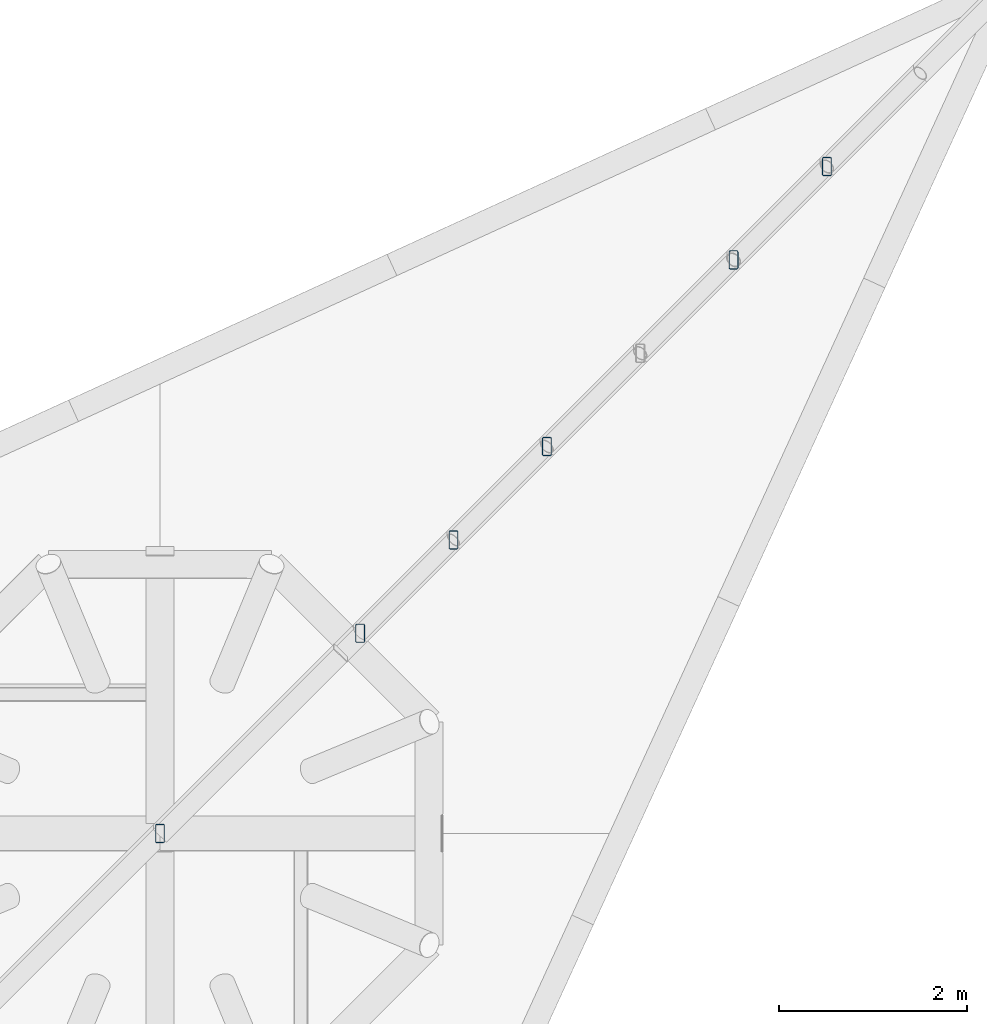
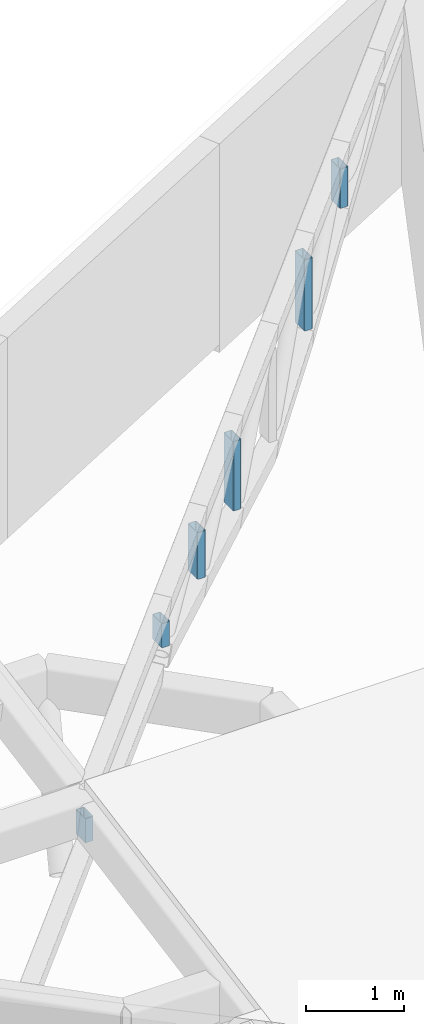
# One storey, part 12 of 32: 6 members.
"""IFC4 building model written with IfcOpenShell, lengths in metres."""

from ifc_helpers import new_model, si_unit, direction, frame, origin, origin_2d, place, context, subcontext, project, spatial, hollow_rectangle, extrude, material, material_profile, profile_set, type_object, element, save


model = new_model("IFC4")

# Units and contexts
model_context = context("Model", 3, precision=1e-05, world=origin(), true_north=direction((0.0, 1.0)))
body_context = subcontext(model_context, "Body", "Model", "MODEL_VIEW")
ifc_project = project(units=[si_unit("LENGTHUNIT", "METRE"), si_unit("AREAUNIT", "SQUARE_METRE"), si_unit("VOLUMEUNIT", "CUBIC_METRE"), si_unit("PLANEANGLEUNIT", "RADIAN"), si_unit("MASSUNIT", "GRAM", prefix="KILO")], contexts=[model_context])

# Site, building, storey
site_placement = place(None, origin())
site = spatial("IfcSite", under=ifc_project, at=site_placement, CompositionType="ELEMENT")
building_placement = place(site_placement, origin())
building = spatial("IfcBuilding", under=site, at=building_placement, Name="Magnolia Steps Interchange", CompositionType="ELEMENT")
storey_placement = place(building_placement, frame((0.0, 0.0, 16.5)))
storey = spatial("IfcBuildingStorey", under=building, at=storey_placement, Name="L04", CompositionType="ELEMENT", Elevation=16.5)

# Members
ifc_material = material(Name="Steel Q355B", Category="steel")
ifc_material_profile = material_profile(ifc_material, hollow_rectangle(XDim=0.10009765625, YDim=0.199951171875, WallThickness=0.008056640625, InnerFilletRadius=0.008056640625, OuterFilletRadius=0.01611328125, at=origin_2d()), Name="RHS200x100x8")
ifc_profile_set = profile_set([ifc_material_profile], Name="Steel Q355B")
member_type = type_object("IfcMemberType", Name="Roof truss post RHS200x100x8", PredefinedType="USERDEFINED", material=ifc_profile_set)
for number, where, z_axis, x_axis, name in (
    (1, (118.0, 85.60009765625, 1.7470703125), (0.0, 0.0, 1.0), (1.0, 0.0, 0.0), "Spike truss SP-H-NE post"),
    (2, (120.131103515625, 87.731201171875, 2.136962890625), (0.0, 0.0, 1.0), (1.0, 0.0, 0.0), "Spike truss SP-H-NE post"),
):
    element("IfcMember", number, at=place(storey_placement, frame(where, z_axis=z_axis, x_axis=x_axis)), inside=storey, type_object=member_type, Name=name, ObjectType="Roof truss post", PredefinedType="USERDEFINED", context=body_context, shape_type="SweptSolid", body=[
        extrude(hollow_rectangle(XDim=0.10009765625, YDim=0.199951171875, WallThickness=0.008056640625, InnerFilletRadius=0.008056640625, OuterFilletRadius=0.01611328125, at=origin_2d()), origin(), (0.0, 0.0, 1.0), 0.300048828125),
    ])
member_1_placement = place(storey_placement, frame((121.124755859375, 88.724853515625, 2.03759765625), z_axis=(0.0, 0.0, 1.0), x_axis=(1.0, 0.0, 0.0)))
element("IfcMember", 3, at=member_1_placement, inside=storey, type_object=member_type, Name="Spike truss SP-H-NE post", ObjectType="Roof truss post", PredefinedType="USERDEFINED", context=body_context, shape_type="SweptSolid", body=[
    extrude(hollow_rectangle(XDim=0.10009765625, YDim=0.199951171875, WallThickness=0.008056640625, InnerFilletRadius=0.008056640625, OuterFilletRadius=0.01611328125, at=origin_2d()), origin(), (0.0, 0.0, 1.0), 0.5810546875),
])
member_2_placement = place(storey_placement, frame((122.118408203125, 89.718505859375, 1.9384765625), z_axis=(0.0, 0.0, 1.0), x_axis=(1.0, 0.0, 0.0)))
element("IfcMember", 4, at=member_2_placement, inside=storey, type_object=member_type, Name="Spike truss SP-H-NE post", ObjectType="Roof truss post", PredefinedType="USERDEFINED", context=body_context, shape_type="SweptSolid", body=[
    extrude(hollow_rectangle(XDim=0.10009765625, YDim=0.199951171875, WallThickness=0.008056640625, InnerFilletRadius=0.008056640625, OuterFilletRadius=0.01611328125, at=origin_2d()), origin(), (0.0, 0.0, 1.0), 0.862060546875),
])
member_3_placement = place(storey_placement, frame((124.105712890625, 91.70556640625, 2.279052734375), z_axis=(0.0, 0.0, 1.0), x_axis=(1.0, 0.0, 0.0)))
element("IfcMember", 5, at=member_3_placement, inside=storey, type_object=member_type, Name="Spike truss SP-H-NE post", ObjectType="Roof truss post", PredefinedType="USERDEFINED", context=body_context, shape_type="SweptSolid", body=[
    extrude(hollow_rectangle(XDim=0.10009765625, YDim=0.199951171875, WallThickness=0.008056640625, InnerFilletRadius=0.008056640625, OuterFilletRadius=0.01611328125, at=origin_2d()), origin(), (0.0, 0.0, 1.0), 0.885009765625),
])
member_4_placement = place(storey_placement, frame((125.09912109375, 92.69921875, 2.855712890625), z_axis=(0.0, 0.0, 1.0), x_axis=(1.0, 0.0, 0.0)))
element("IfcMember", 6, at=member_4_placement, inside=storey, type_object=member_type, Name="Spike truss SP-H-NE post", ObjectType="Roof truss post", PredefinedType="USERDEFINED", context=body_context, shape_type="SweptSolid", body=[
    extrude(hollow_rectangle(XDim=0.10009765625, YDim=0.199951171875, WallThickness=0.008056640625, InnerFilletRadius=0.008056640625, OuterFilletRadius=0.01611328125, at=origin_2d()), origin(), (0.0, 0.0, 1.0), 0.489990234375),
])

save(model, "model.ifc")
